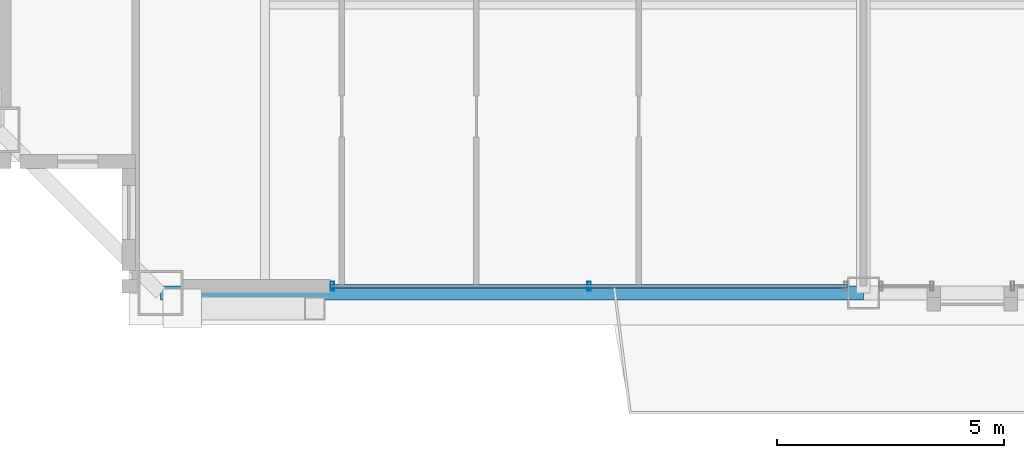
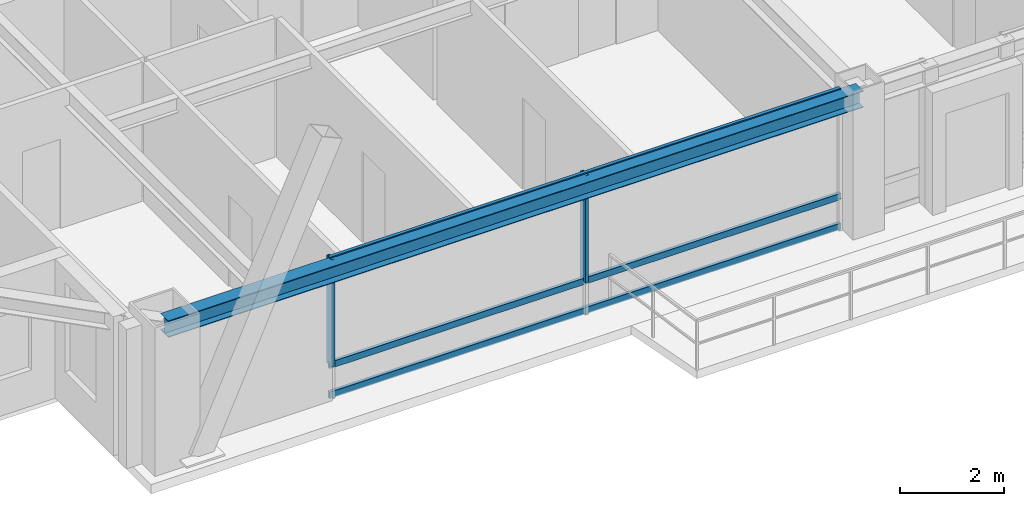
# One storey, part 4 of 33: 5 members, 1 beam, 1 element without a shape of its own.
"""IFC4 building model written with IfcOpenShell, lengths in metres."""

from ifc_helpers import new_model, si_unit, direction, frame, origin, origin_2d, place, context, subcontext, project, spatial, hollow_rectangle, i_section, extrude, source, transform, mapped, material, layer, layer_set, material_profile, profile_set, type_object, element, aggregate, save


model = new_model("IFC4")

# Units and contexts
model_context = context("Model", 3, precision=1e-05, world=origin(), true_north=direction((0.0, 1.0)))
body_context = subcontext(model_context, "Body", "Model", "MODEL_VIEW")
ifc_project = project(units=[si_unit("LENGTHUNIT", "METRE"), si_unit("AREAUNIT", "SQUARE_METRE"), si_unit("VOLUMEUNIT", "CUBIC_METRE"), si_unit("PLANEANGLEUNIT", "RADIAN"), si_unit("MASSUNIT", "GRAM", prefix="KILO"), si_unit("THERMODYNAMICTEMPERATUREUNIT", "KELVIN"), si_unit("POWERUNIT", "WATT")], contexts=[model_context])

# Site, building, storey
site_placement = place(None, origin())
site = spatial("IfcSite", under=ifc_project, at=site_placement, CompositionType="ELEMENT")
building_placement = place(site_placement, origin())
building = spatial("IfcBuilding", under=site, at=building_placement, Name="Yuzanri Waterfront Tower", CompositionType="ELEMENT")
storey_placement = place(building_placement, frame((0.0, 0.0, 321.699951171875)))
storey = spatial("IfcBuildingStorey", under=building, at=storey_placement, Name="L86", CompositionType="ELEMENT", Elevation=321.699951171875)

# Beam
ifc_material_1 = material(Name="Steel Q355B", Category="steel")
ifc_material_profile_1 = material_profile(ifc_material_1, i_section(OverallWidth=0.300048828125, OverallDepth=0.389892578125, WebThickness=0.010009765625, FlangeThickness=0.01611328125, at=origin_2d()), Name="HM 390x300x10x16")
ifc_profile_set_1 = profile_set([ifc_material_profile_1], Name="Steel Q355B")
beam_type = type_object("IfcBeamType", Name="Perimeter Spandrel Q355B HM 390x300", PredefinedType="SPANDREL", material=ifc_profile_set_1)
shared_shape_1 = source(origin(), body_context, "Body", "SweptSolid", [
    extrude(i_section(OverallWidth=0.300048828125, OverallDepth=0.389892578125, WebThickness=0.010009765625, FlangeThickness=0.01611328125, at=origin_2d()), origin(), (0.0, 0.0, 1.0), 15.5),
])
beam_placement = place(storey_placement, frame((21.5, 6.699951171875, 3.0849609375), z_axis=(1.0, 0.0, 0.0), x_axis=(0.0, 1.0, 0.0)))
element("IfcBeam", 1, at=beam_placement, inside=storey, type_object=beam_type, Name="L86 Perimeter Spandrel S1-S2", PredefinedType="SPANDREL", context=body_context, shape_type="MappedRepresentation", body=[
    mapped(shared_shape_1, transform((0.0, 0.0, 0.0), scale=1.0)),
])

# Curtain wall, members
ifc_material_2 = material(Name="Anodized Architectural Bronze", Category="metal")
ifc_layer = layer(ifc_material_2, 0.159912109375)
ifc_layer_set = layer_set([ifc_layer], Name="Anodized Architectural Bronze")
curtain_wall_type = type_object("IfcCurtainWallType", Name="Anodized Bronze High-Rise Penthouse High-Wind Unitized Curtain Wall 6900", PredefinedType="NOTDEFINED", material=ifc_layer_set)
curtain_wall_placement = place(storey_placement, origin())
curtain_wall = element("IfcCurtainWall", 2, at=curtain_wall_placement, inside=storey, type_object=curtain_wall_type, Name="L86 Curtain Wall CW-L86-SL", PredefinedType="NOTDEFINED")
ifc_material_3 = material(Name="Anodized Architectural Bronze", Category="metal")
ifc_material_profile_2 = material_profile(ifc_material_3, hollow_rectangle(XDim=0.074951171875, YDim=0.199951171875, WallThickness=0.00390625, at=origin_2d()), Name="CWM 75x200")
ifc_profile_set_2 = profile_set([ifc_material_profile_2], Name="Anodized Architectural Bronze")
member_type_1 = type_object("IfcMemberType", Name="Anodized Bronze Primary Curtain-Wall Mullion 75x200", PredefinedType="MULLION", material=ifc_profile_set_2)
shared_shape_2 = source(origin(), body_context, "Body", "SweptSolid", [
    extrude(hollow_rectangle(XDim=0.074951171875, YDim=0.199951171875, WallThickness=0.00390625, at=origin_2d()), origin(), (0.0, 0.0, 1.0), 2.52392578125),
])
member_1_placement = place(storey_placement, frame((25.2900390625, 6.85009765625, 0.756103515625), z_axis=(0.0, 0.0, 1.0), x_axis=(1.0, 0.0, 0.0)))
member_1 = element("IfcMember", 3, at=member_1_placement, type_object=member_type_1, Name="CW-L86-SL Upper Mullion 00", PredefinedType="MULLION", context=body_context, shape_type="MappedRepresentation", body=[
    mapped(shared_shape_2, transform((0.0, 0.0, 0.0), scale=1.0)),
])
member_2_placement = place(storey_placement, frame((30.949951171875, 6.85009765625, 0.756103515625), z_axis=(0.0, 0.0, 1.0), x_axis=(1.0, 0.0, 0.0)))
member_2 = element("IfcMember", 4, at=member_2_placement, type_object=member_type_1, Name="CW-L86-SL Upper Mullion 01", PredefinedType="MULLION", context=body_context, shape_type="MappedRepresentation", body=[
    mapped(shared_shape_2, transform((0.0, 0.0, 0.0), scale=1.0)),
])
ifc_material_4 = material(Name="Anodized Architectural Bronze", Category="metal")
ifc_material_profile_3 = material_profile(ifc_material_4, hollow_rectangle(XDim=0.074951171875, YDim=0.14990234375, WallThickness=0.00390625, at=origin_2d()), Name="CWT 75x150")
ifc_profile_set_3 = profile_set([ifc_material_profile_3], Name="Anodized Architectural Bronze")
member_type_2 = type_object("IfcMemberType", Name="Anodized Bronze Primary Curtain-Wall Transom 75x150", PredefinedType="USERDEFINED", material=ifc_profile_set_3)
shared_shape_3 = source(origin(), body_context, "Body", "SweptSolid", [
    extrude(hollow_rectangle(XDim=0.074951171875, YDim=0.14990234375, WallThickness=0.00390625, at=origin_2d()), origin(), (0.0, 0.0, 1.0), 11.39990234375),
])
member_3_placement = place(storey_placement, frame((25.25, 6.85009765625, 0.050048828125), z_axis=(1.0, 0.0, 0.0), x_axis=(0.0, 1.0, 0.0)))
member_3 = element("IfcMember", 5, at=member_3_placement, type_object=member_type_2, Name="CW-L86-SL Transom 1", ObjectType="TRANSOM", PredefinedType="USERDEFINED", context=body_context, shape_type="MappedRepresentation", body=[
    mapped(shared_shape_3, transform((0.0, 0.0, 0.0), scale=1.0)),
])
member_4_placement = place(storey_placement, frame((25.25, 6.85009765625, 0.754150390625), z_axis=(1.0, 0.0, 0.0), x_axis=(0.0, 1.0, 0.0)))
member_4 = element("IfcMember", 6, at=member_4_placement, type_object=member_type_2, Name="CW-L86-SL Transom 2", ObjectType="TRANSOM", PredefinedType="USERDEFINED", context=body_context, shape_type="MappedRepresentation", body=[
    mapped(shared_shape_3, transform((0.0, 0.0, 0.0), scale=1.0)),
])
member_5_placement = place(storey_placement, frame((25.25, 6.85009765625, 3.22998046875), z_axis=(1.0, 0.0, 0.0), x_axis=(0.0, 1.0, 0.0)))
member_5 = element("IfcMember", 7, at=member_5_placement, type_object=member_type_2, Name="CW-L86-SL Transom 3", ObjectType="TRANSOM", PredefinedType="USERDEFINED", context=body_context, shape_type="MappedRepresentation", body=[
    mapped(shared_shape_3, transform((0.0, 0.0, 0.0), scale=1.0)),
])
aggregate(curtain_wall, [member_1, member_2, member_3, member_4, member_5])

save(model, "model.ifc")
